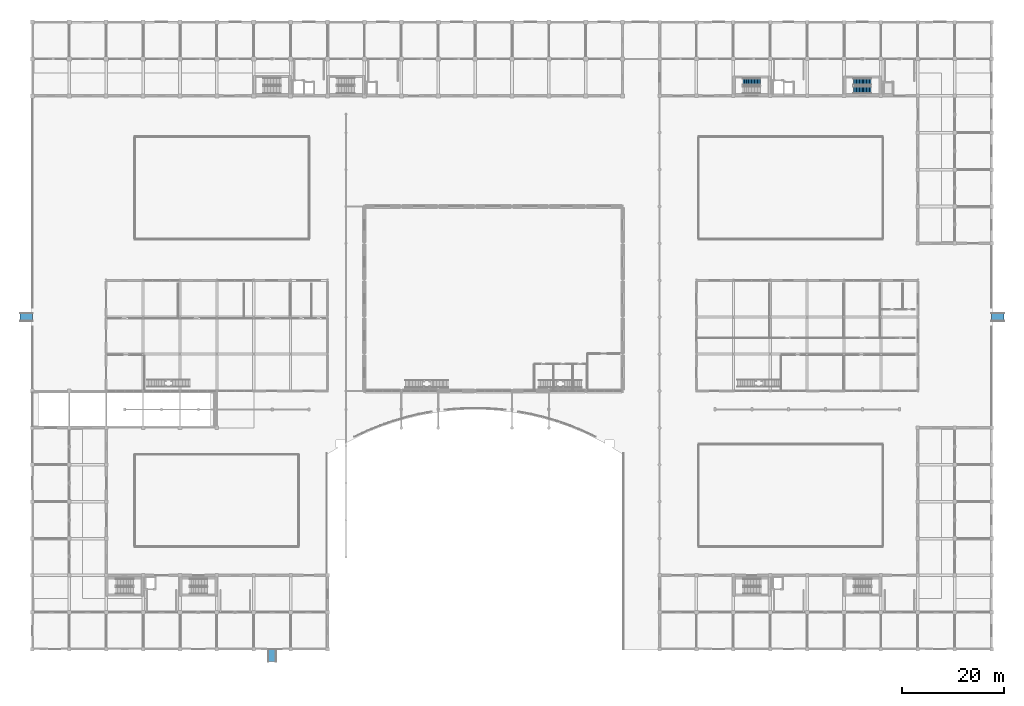
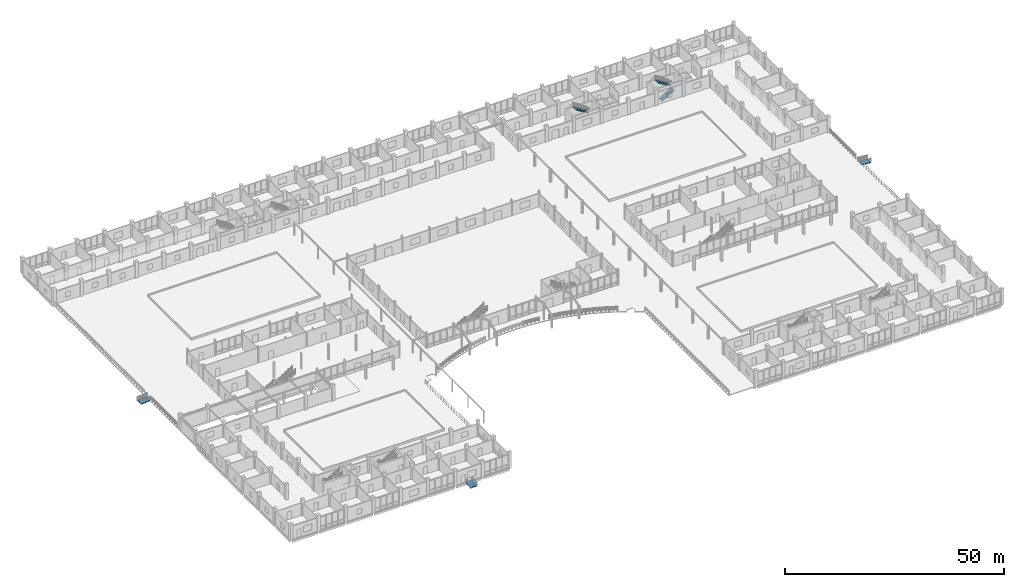
# One storey, part 128 of 139: 3 ramp flights, 3 stair flights, 5 elements without a shape of their own.
"""IFC4 building model written with IfcOpenShell, lengths in metres."""

import ifcopenshell
import ifcopenshell.guid

model = None  # the IFC model being written
_history = None  # IfcOwnerHistory: only IFC2X3 demands one
_inside = {}  # id of a spatial element -> (the spatial element, [elements in it])
_under = {}  # id of a project, library or spatial element -> (it, [spatial elements below it])
_declared = {}  # id of a project -> (the project, [libraries it declares])
_typed = {}  # id of a type object -> (the type object, [elements of that type])
_made_of = {}  # id of a material, layer set ... -> (it, [elements and type objects made of it])


def new_model(schema):
    """Start an empty IFC model of exactly this schema.

    Asked for "IFC4X3", IfcOpenShell would pick the latest addendum, in which some entities
    have other attributes; the version numbers below select the first issue.
    IFC2X3 requires an IfcOwnerHistory on every rooted entity: one is made here for all.
    """
    global model, _history
    if schema == "IFC4X3":
        model = ifcopenshell.file(schema_version=(4, 3, 0, 0))
    else:
        model = ifcopenshell.file(schema=schema)
    _inside.clear()
    _under.clear()
    _declared.clear()
    _typed.clear()
    _made_of.clear()
    _history = None
    if model.schema == "IFC2X3":
        org = make("IfcOrganization", Name="unknown")
        user = make(
            "IfcPersonAndOrganization",
            ThePerson=make("IfcPerson", FamilyName="unknown"),
            TheOrganization=org,
        )
        app = make(
            "IfcApplication",
            ApplicationDeveloper=org,
            Version="unknown",
            ApplicationFullName="unknown",
            ApplicationIdentifier="unknown",
        )
        _history = make(
            "IfcOwnerHistory",
            OwningUser=user,
            OwningApplication=app,
            ChangeAction="ADDED",
            CreationDate=0,
        )
    return model


def make(cls, **values):
    """One entity of the class cls with the attributes given. An attribute that is None is left unset."""
    return model.create_entity(
        cls, **{name: value for name, value in values.items() if value is not None}
    )


def rooted(cls, **values):
    """An entity with a GlobalId (a new one), such as an element, a storey or a relation."""
    return make(cls, GlobalId=ifcopenshell.guid.new(), OwnerHistory=_history, **values)


def si_unit(unit_type, name, prefix=None):
    """IfcSIUnit, for example si_unit("LENGTHUNIT", "METRE", prefix="MILLI")."""
    return make("IfcSIUnit", UnitType=unit_type, Prefix=prefix, Name=name)


def assignment(units):
    """IfcUnitAssignment: the units of a project."""
    return None if units is None else make("IfcUnitAssignment", Units=units)


def point(xyz):
    """IfcCartesianPoint."""
    return None if xyz is None else make("IfcCartesianPoint", Coordinates=xyz)


def direction(xyz):
    """IfcDirection."""
    return None if xyz is None else make("IfcDirection", DirectionRatios=xyz)


def frame(location, z_axis=None, x_axis=None):
    """IfcAxis2Placement3D, a coordinate frame: its origin and axes. An axis left out is left unset."""
    return make(
        "IfcAxis2Placement3D",
        Location=point(location),
        Axis=direction(z_axis),
        RefDirection=direction(x_axis),
    )


def origin():
    """The frame at (0, 0, 0) with its axes left unset."""
    return frame((0.0, 0.0, 0.0))


def place(relative_to, where):
    """IfcLocalPlacement: puts the frame where relative to a parent placement (None: the world)."""
    return make(
        "IfcLocalPlacement", PlacementRelTo=relative_to, RelativePlacement=where
    )


def context(
    kind, dimensions, precision=None, world=None, true_north=None, identifier=None
):
    """IfcGeometricRepresentationContext, for example the 3D "Model" context."""
    return make(
        "IfcGeometricRepresentationContext",
        ContextIdentifier=identifier,
        ContextType=kind,
        CoordinateSpaceDimension=dimensions,
        Precision=precision,
        WorldCoordinateSystem=world,
        TrueNorth=true_north,
    )


def subcontext(parent, identifier, kind, view, scale=None):
    """IfcGeometricRepresentationSubContext, for example "Body" below "Model"."""
    return make(
        "IfcGeometricRepresentationSubContext",
        ContextIdentifier=identifier,
        ContextType=kind,
        ParentContext=parent,
        TargetScale=scale,
        TargetView=view,
    )


def project(units=None, contexts=None):
    """IfcProject with its units and contexts."""
    return rooted(
        "IfcProject",
        Name="project",
        RepresentationContexts=contexts,
        UnitsInContext=assignment(units),
    )


def spatial(cls, under=None, at=None, **own):
    """A site, building, storey or space (cls), placed at a placement, below another one or the project."""
    s = rooted(cls, ObjectPlacement=at, **own)
    if under is not None:
        _under.setdefault(under.id(), (under, []))[1].append(s)
    return s


def polyline(points):
    """IfcPolyline through the points."""
    return make("IfcPolyline", Points=[point(p) for p in points])


def outline(outer, holes=None, kind="AREA"):
    """IfcArbitraryClosedProfileDef: a profile drawn as a closed curve; with holes, ...WithVoids."""
    if holes is None:
        return make("IfcArbitraryClosedProfileDef", ProfileType=kind, OuterCurve=outer)
    return make(
        "IfcArbitraryProfileDefWithVoids",
        ProfileType=kind,
        OuterCurve=outer,
        InnerCurves=holes,
    )


def extrude(swept, where, along, depth):
    """IfcExtrudedAreaSolid: the profile swept, set in the frame where, extruded along a direction by depth."""
    return make(
        "IfcExtrudedAreaSolid",
        SweptArea=swept,
        Position=where,
        ExtrudedDirection=direction(along),
        Depth=depth,
    )


def shape(context_of_items, identifier, shape_type, items):
    """IfcShapeRepresentation: the items that make up one representation, for example the "Body"."""
    return make(
        "IfcShapeRepresentation",
        ContextOfItems=context_of_items,
        RepresentationIdentifier=identifier,
        RepresentationType=shape_type,
        Items=items,
    )


def material(Name=None, Category=None):
    """IfcMaterial."""
    return make("IfcMaterial", Name=Name, Category=Category)


def layer(
    of_material, thickness, ventilated=None, Name=None, Category=None, Priority=None
):
    """IfcMaterialLayer: one layer of a wall or slab, of a material (None: an air gap)."""
    return make(
        "IfcMaterialLayer",
        Material=of_material,
        LayerThickness=thickness,
        IsVentilated=ventilated,
        Name=Name,
        Category=Category,
        Priority=Priority,
    )


def layer_set(layers, Name=None):
    """IfcMaterialLayerSet."""
    return make("IfcMaterialLayerSet", MaterialLayers=layers, LayerSetName=Name)


def made_of(thing, what):
    """Note that an element or type object is made of a material, layer set ...; save() writes the relation."""
    if what is not None:
        _made_of.setdefault(what.id(), (what, []))[1].append(thing)
    return thing


def type_object(cls, material=None, **own):
    """A type object (cls), such as IfcWallType, which elements share."""
    return made_of(rooted(cls, **own), material)


def element(
    cls,
    number,
    at=None,
    inside=None,
    cuts=None,
    type_object=None,
    material=None,
    context=None,
    identifier="Body",
    shape_type=None,
    held_by="IfcProductDefinitionShape",
    body=None,
    shapes=None,
    **own,
):
    """One element of the class cls, such as IfcWall. Its Tag is "e" and its number.

    at: its placement. inside: the storey or other place that contains it. cuts: it is an
    opening in that element (IfcRelVoidsElement). A single representation is given by context,
    identifier, shape_type and body (its items); several are given by shapes. held_by: the class
    of the entity that holds the representations. save() writes the other relations.
    """
    e = rooted(cls, Tag="e%d" % number, ObjectPlacement=at, **own)
    if body is not None:
        shapes = [shape(context, identifier, shape_type, body)]
    if shapes is not None:
        e.Representation = make(held_by, Representations=shapes)
    if inside is not None:
        _inside.setdefault(inside.id(), (inside, []))[1].append(e)
    if cuts is not None:
        rooted(
            "IfcRelVoidsElement", RelatingBuildingElement=cuts, RelatedOpeningElement=e
        )
    if type_object is not None:
        _typed.setdefault(type_object.id(), (type_object, []))[1].append(e)
    return made_of(e, material)


def aggregate(whole, parts):
    """IfcRelAggregates: a whole, such as a stair, and the parts it consists of."""
    return rooted("IfcRelAggregates", RelatingObject=whole, RelatedObjects=parts)


def save(model, path):
    """Write the relations noted so far, then the file.

    IfcRelAggregates (storeys below a building ...), IfcRelContainedInSpatialStructure (elements
    in a storey), IfcRelDefinesByType, IfcRelAssociatesMaterial and IfcRelDeclares: one each for
    every whole, place, type object, material and project.
    """
    for whole, parts in _under.values():
        aggregate(whole, parts)
    for where, things in _inside.values():
        rooted(
            "IfcRelContainedInSpatialStructure",
            RelatedElements=things,
            RelatingStructure=where,
        )
    for kind, things in _typed.values():
        rooted("IfcRelDefinesByType", RelatedObjects=things, RelatingType=kind)
    for what, things in _made_of.values():
        rooted("IfcRelAssociatesMaterial", RelatedObjects=things, RelatingMaterial=what)
    for by, libraries in _declared.values():
        rooted("IfcRelDeclares", RelatingContext=by, RelatedDefinitions=libraries)
    model.write(path)


model = new_model("IFC4")

# Units and contexts
model_context = context("Model", 3, precision=1e-05, world=origin(), true_north=direction((0.0, 1.0)))
body_context = subcontext(model_context, "Body", "Model", "MODEL_VIEW")
ifc_project = project(units=[si_unit("LENGTHUNIT", "METRE"), si_unit("AREAUNIT", "SQUARE_METRE"), si_unit("VOLUMEUNIT", "CUBIC_METRE"), si_unit("PLANEANGLEUNIT", "RADIAN"), si_unit("MASSUNIT", "GRAM", prefix="KILO")], contexts=[model_context])

# Site, building, storey
site_placement = place(None, origin())
site = spatial("IfcSite", under=ifc_project, at=site_placement, CompositionType="ELEMENT")
building_placement = place(site_placement, origin())
building = spatial("IfcBuilding", under=site, at=building_placement, Name="Suanplinth Sawtooth Commons", CompositionType="ELEMENT")
storey_placement = place(building_placement, origin())
storey = spatial("IfcBuildingStorey", under=building, at=storey_placement, Name="L00", CompositionType="ELEMENT", Elevation=0.0)

# Stair, stair flight
ifc_material_1 = material(Name="Concrete C40/50", Category="concrete")
stair_type = type_object("IfcStairType", Name="ST-06", PredefinedType="USERDEFINED", material=ifc_material_1)
stair_1_placement = place(storey_placement, origin())
stair_1 = element("IfcStair", 1, at=stair_1_placement, inside=storey, type_object=stair_type, Name="L00 Exit Stair ST-E1", ObjectType="TWO_RETURN_STAIR", PredefinedType="USERDEFINED")
stair_flight_type = type_object("IfcStairFlightType", Name="SF-06", PredefinedType="STRAIGHT", material=ifc_material_1)
stair_flight_1_placement = place(storey_placement, frame((142.070068359375, 110.75, 2.25), z_axis=(0.0, 0.0, 1.0), x_axis=(-1.0, 0.0, 0.0)))
stair_flight_1 = element("IfcStairFlight", 2, at=stair_flight_1_placement, type_object=stair_flight_type, Name="ST-06 flight 2", NumberOfRisers=13, NumberOfTreads=12, PredefinedType="STRAIGHT", RiserHeight=0.173076923, TreadLength=0.285, context=body_context, shape_type="SweptSolid", body=[
    extrude(outline(polyline([(0.0, 0.0), (0.0, 0.173095703125), (0.284912109375, 0.173095703125), (0.284912109375, 0.34619140625), (0.570068359375, 0.34619140625), (0.570068359375, 0.519287109375), (0.85498046875, 0.519287109375), (0.85498046875, 0.6923828125), (1.139892578125, 0.6923828125), (1.139892578125, 0.865478515625), (1.425048828125, 0.865478515625), (1.425048828125, 1.03857421875), (1.7099609375, 1.03857421875), (1.7099609375, 1.21142578125), (1.9951171875, 1.21142578125), (1.9951171875, 1.384521484375), (2.280029296875, 1.384521484375), (2.280029296875, 1.5576171875), (2.56494140625, 1.5576171875), (2.56494140625, 1.730712890625), (2.85009765625, 1.730712890625), (2.85009765625, 1.90380859375), (3.135009765625, 1.90380859375), (3.135009765625, 2.076904296875), (3.419921875, 2.076904296875), (3.419921875, 2.25), (3.419921875, 1.889892578125), (0.30810546875, 0.0), (0.0, 0.0)])), frame((0.0, 0.699951171875, 0.0), z_axis=(0.0, -1.0, 0.0), x_axis=(1.0, 0.0, 0.0)), (0.0, 0.0, 1.0), 1.39990234375),
])
aggregate(stair_1, [stair_flight_1])

# Stair, stair flights
stair_2_placement = place(storey_placement, origin())
stair_2 = element("IfcStair", 3, at=stair_2_placement, inside=storey, type_object=stair_type, Name="L00 Exit Stair ST-E2", ObjectType="TWO_RETURN_STAIR", PredefinedType="USERDEFINED")
stair_flight_2_placement = place(storey_placement, frame((160.25, 109.14990234375, 0.0), z_axis=(0.0, 0.0, 1.0), x_axis=(1.0, 0.0, 0.0)))
stair_flight_2 = element("IfcStairFlight", 4, at=stair_flight_2_placement, type_object=stair_flight_type, Name="ST-06 flight 1", NumberOfRisers=13, NumberOfTreads=12, PredefinedType="STRAIGHT", RiserHeight=0.173076923, TreadLength=0.285, context=body_context, shape_type="SweptSolid", body=[
    extrude(outline(polyline([(0.0, 0.0), (0.0, 0.173095703125), (0.284912109375, 0.173095703125), (0.284912109375, 0.34619140625), (0.570068359375, 0.34619140625), (0.570068359375, 0.519287109375), (0.85498046875, 0.519287109375), (0.85498046875, 0.6923828125), (1.139892578125, 0.6923828125), (1.139892578125, 0.865478515625), (1.425048828125, 0.865478515625), (1.425048828125, 1.03857421875), (1.7099609375, 1.03857421875), (1.7099609375, 1.21142578125), (1.9951171875, 1.21142578125), (1.9951171875, 1.384521484375), (2.280029296875, 1.384521484375), (2.280029296875, 1.5576171875), (2.56494140625, 1.5576171875), (2.56494140625, 1.730712890625), (2.85009765625, 1.730712890625), (2.85009765625, 1.90380859375), (3.135009765625, 1.90380859375), (3.135009765625, 2.076904296875), (3.419921875, 2.076904296875), (3.419921875, 2.25), (3.419921875, 1.889892578125), (0.30810546875, 0.0), (0.0, 0.0)])), frame((0.0, 0.699951171875, 0.0), z_axis=(0.0, -1.0, 0.0), x_axis=(1.0, 0.0, 0.0)), (0.0, 0.0, 1.0), 1.39990234375),
])
stair_flight_3_placement = place(storey_placement, frame((163.669921875, 110.75, 2.25), z_axis=(0.0, 0.0, 1.0), x_axis=(-1.0, 0.0, 0.0)))
stair_flight_3 = element("IfcStairFlight", 5, at=stair_flight_3_placement, type_object=stair_flight_type, Name="ST-06 flight 2", NumberOfRisers=13, NumberOfTreads=12, PredefinedType="STRAIGHT", RiserHeight=0.173076923, TreadLength=0.285, context=body_context, shape_type="SweptSolid", body=[
    extrude(outline(polyline([(0.0, 0.0), (0.0, 0.173095703125), (0.284912109375, 0.173095703125), (0.284912109375, 0.34619140625), (0.570068359375, 0.34619140625), (0.570068359375, 0.519287109375), (0.85498046875, 0.519287109375), (0.85498046875, 0.6923828125), (1.139892578125, 0.6923828125), (1.139892578125, 0.865478515625), (1.425048828125, 0.865478515625), (1.425048828125, 1.03857421875), (1.7099609375, 1.03857421875), (1.7099609375, 1.21142578125), (1.9951171875, 1.21142578125), (1.9951171875, 1.384521484375), (2.280029296875, 1.384521484375), (2.280029296875, 1.5576171875), (2.56494140625, 1.5576171875), (2.56494140625, 1.730712890625), (2.85009765625, 1.730712890625), (2.85009765625, 1.90380859375), (3.135009765625, 1.90380859375), (3.135009765625, 2.076904296875), (3.419921875, 2.076904296875), (3.419921875, 2.25), (3.419921875, 1.889892578125), (0.30810546875, 0.0), (0.0, 0.0)])), frame((0.0, 0.699951171875, 0.0), z_axis=(0.0, -1.0, 0.0), x_axis=(1.0, 0.0, 0.0)), (0.0, 0.0, 1.0), 1.39990234375),
])
aggregate(stair_2, [stair_flight_2, stair_flight_3])

# Ramp, ramp flight
ifc_material_2 = material(Name="Concrete C35/45", Category="concrete")
ramp_type = type_object("IfcRampType", Name="RM-02", PredefinedType="STRAIGHT_RUN_RAMP", material=ifc_material_2)
ramp_1_placement = place(storey_placement, origin())
ramp_1 = element("IfcRamp", 6, at=ramp_1_placement, inside=storey, type_object=ramp_type, Name="Street Threshold Accessible Ramp AR-03", PredefinedType="STRAIGHT_RUN_RAMP")
ifc_layer = layer(ifc_material_2, 0.199951171875, Name="Step-free 1:12 accessible ramp flight slab 200mm")
ifc_layer_set = layer_set([ifc_layer], Name="Concrete C35/45")
ramp_flight_type = type_object("IfcRampFlightType", Name="RF-02", PredefinedType="STRAIGHT", material=ifc_layer_set)
ramp_flight_1_placement = place(storey_placement, frame((-2.39990234375, 64.800048828125, -0.199951171875), z_axis=(0.0, 0.0, 1.0), x_axis=(1.0, 0.0, 0.0)))
ramp_flight_1 = element("IfcRampFlight", 7, at=ramp_flight_1_placement, type_object=ramp_flight_type, Name="Accessible Threshold Ramp Flight AR-03", PredefinedType="STRAIGHT", context=body_context, shape_type="SweptSolid", body=[
    extrude(outline(polyline([(0.0, 0.0), (0.0, -0.199951171875), (2.39990234375, 0.0), (2.39990234375, 0.199951171875), (0.0, 0.0)])), frame((0.0, 0.824951171875, 0.0), z_axis=(0.0, -1.0, 0.0), x_axis=(1.0, 0.0, 0.0)), (0.0, 0.0, 1.0), 1.64990234375),
])
aggregate(ramp_1, [ramp_flight_1])

ramp_2_placement = place(storey_placement, origin())
ramp_2 = element("IfcRamp", 8, at=ramp_2_placement, inside=storey, type_object=ramp_type, Name="Street Threshold Accessible Ramp AR-04", PredefinedType="STRAIGHT_RUN_RAMP")
ramp_flight_2_placement = place(storey_placement, frame((187.199951171875, 64.800048828125, 0.0), z_axis=(0.0, 0.0, 1.0), x_axis=(1.0, 0.0, 0.0)))
ramp_flight_2 = element("IfcRampFlight", 9, at=ramp_flight_2_placement, type_object=ramp_flight_type, Name="Accessible Threshold Ramp Flight AR-04", PredefinedType="STRAIGHT", context=body_context, shape_type="SweptSolid", body=[
    extrude(outline(polyline([(0.0, 0.0), (0.0, -0.199951171875), (2.400146484375, -0.39990234375), (2.400146484375, -0.199951171875), (0.0, 0.0)])), frame((0.0, 0.824951171875, 0.0), z_axis=(0.0, -1.0, 0.0), x_axis=(1.0, 0.0, 0.0)), (0.0, 0.0, 1.0), 1.64990234375),
])
aggregate(ramp_2, [ramp_flight_2])

ramp_3_placement = place(storey_placement, origin())
ramp_3 = element("IfcRamp", 10, at=ramp_3_placement, inside=storey, type_object=ramp_type, Name="Street Threshold Accessible Ramp AR-05", PredefinedType="STRAIGHT_RUN_RAMP")
ramp_flight_3_placement = place(storey_placement, frame((46.800048828125, -2.39990234375, -0.199951171875), z_axis=(0.0, 0.0, 1.0), x_axis=(0.0, 1.0, 0.0)))
ramp_flight_3 = element("IfcRampFlight", 11, at=ramp_flight_3_placement, type_object=ramp_flight_type, Name="Accessible Threshold Ramp Flight AR-05", PredefinedType="STRAIGHT", context=body_context, shape_type="SweptSolid", body=[
    extrude(outline(polyline([(0.0, 0.0), (0.0, -0.199951171875), (2.39990234375, 0.0), (2.39990234375, 0.199951171875), (0.0, 0.0)])), frame((0.0, 0.824951171875, 0.0), z_axis=(0.0, -1.0, 0.0), x_axis=(1.0, 0.0, 0.0)), (0.0, 0.0, 1.0), 1.64990234375),
])
aggregate(ramp_3, [ramp_flight_3])

save(model, "model.ifc")
